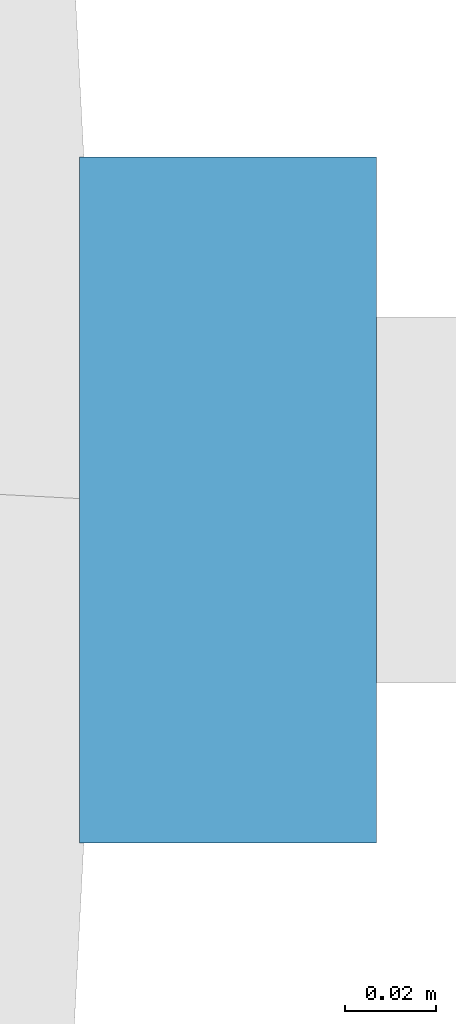
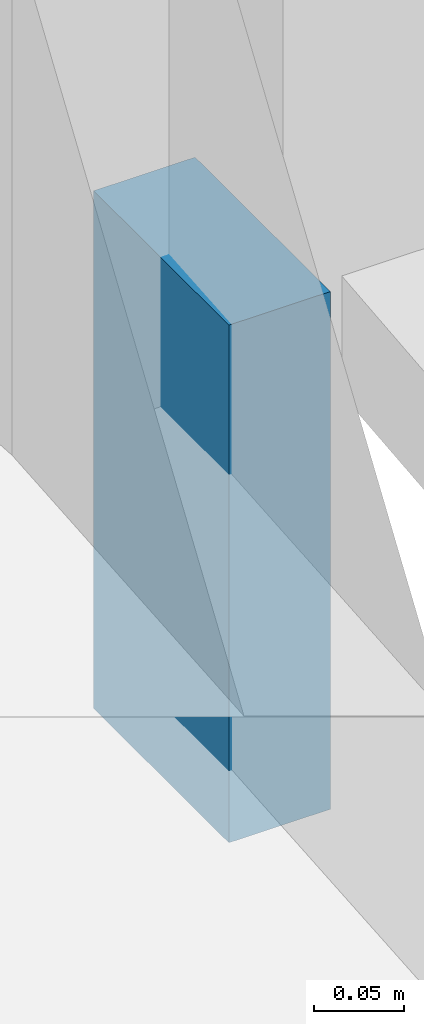
# One storey, part 16 of 18: 1 discrete accessory.
"""IFC4 building model written with IfcOpenShell, lengths in metres."""

from ifc_helpers import new_model, si_unit, direction, frame, origin, origin_2d, place, context, subcontext, project, spatial, rectangle, extrude, material, type_object, element, save


model = new_model("IFC4")

# Units and contexts
model_context = context("Model", 3, precision=1e-05, world=origin(), true_north=direction((0.0, 1.0)))
body_context = subcontext(model_context, "Body", "Model", "MODEL_VIEW")
ifc_project = project(units=[si_unit("LENGTHUNIT", "METRE"), si_unit("AREAUNIT", "SQUARE_METRE"), si_unit("VOLUMEUNIT", "CUBIC_METRE"), si_unit("PLANEANGLEUNIT", "RADIAN"), si_unit("MASSUNIT", "GRAM", prefix="KILO")], contexts=[model_context])

# Site, building, storey
site_placement = place(None, origin())
site = spatial("IfcSite", under=ifc_project, at=site_placement, CompositionType="ELEMENT")
building_placement = place(site_placement, origin())
building = spatial("IfcBuilding", under=site, at=building_placement, Name="Ghaith Harvest Tower", CompositionType="ELEMENT")
storey_placement = place(building_placement, frame((0.0, 0.0, 95.0)))
storey = spatial("IfcBuildingStorey", under=building, at=storey_placement, Name="L19", CompositionType="ELEMENT", Elevation=95.0)

# Discrete accessory
ifc_material = material(Name="Stainless steel grade 1.4401", Category="steel")
discrete_accessory_type = type_object("IfcDiscreteAccessoryType", Name="CURTAIN WALL BRACKET 65", PredefinedType="BRACKET", material=ifc_material)
discrete_accessory_placement = place(storey_placement, frame((34.152587890625, 0.0, -0.25), z_axis=(0.0, 0.0, 1.0), x_axis=(1.0, 0.0, 0.0)))
element("IfcDiscreteAccessory", 1, at=discrete_accessory_placement, inside=storey, type_object=discrete_accessory_type, Name="CW-F bracket 1 bay 01 L19", PredefinedType="BRACKET", context=body_context, shape_type="SweptSolid", body=[
    extrude(rectangle(XDim=0.06494140625, YDim=0.14990234375, at=origin_2d()), origin(), (0.0, 0.0, 1.0), 0.35009765625),
])

save(model, "model.ifc")
